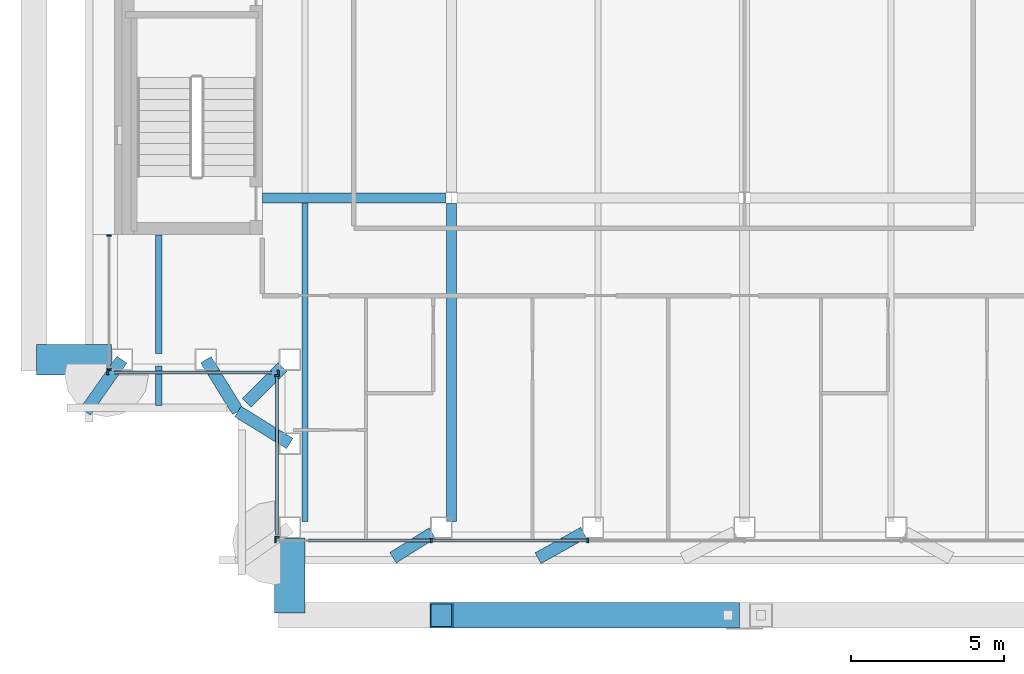
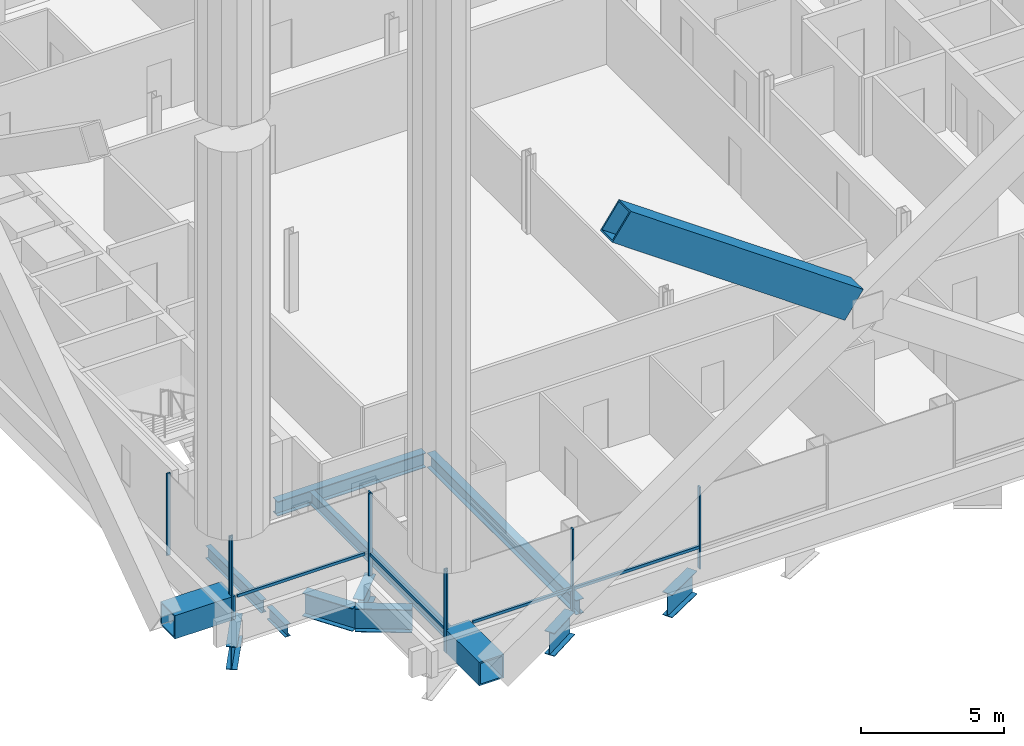
# One storey, part 3 of 22: 14 members, 13 beams, 4 elements without a shape of their own.
"""IFC4 building model written with IfcOpenShell, lengths in metres."""

from ifc_helpers import new_model, si_unit, direction, frame, origin, origin_2d, place, context, subcontext, project, spatial, rectangle, hollow_rectangle, i_section, extrude, material, material_profile, profile_set, type_object, element, aggregate, save


model = new_model("IFC4")

# Units and contexts
model_context = context("Model", 3, precision=1e-05, world=origin(), true_north=direction((0.0, 1.0)))
body_context = subcontext(model_context, "Body", "Model", "MODEL_VIEW")
ifc_project = project(units=[si_unit("LENGTHUNIT", "METRE"), si_unit("AREAUNIT", "SQUARE_METRE"), si_unit("VOLUMEUNIT", "CUBIC_METRE"), si_unit("PLANEANGLEUNIT", "RADIAN"), si_unit("MASSUNIT", "GRAM", prefix="KILO")], contexts=[model_context])

# Site, building, storey
site_placement = place(None, origin())
site = spatial("IfcSite", under=ifc_project, at=site_placement, CompositionType="ELEMENT")
building_placement = place(site_placement, origin())
building = spatial("IfcBuilding", under=site, at=building_placement, Name="Cobrizo Arcos Hotel Tower", CompositionType="ELEMENT")
storey_placement = place(building_placement, frame((0.0, 0.0, 191.0)))
storey = spatial("IfcBuildingStorey", under=building, at=storey_placement, Name="L49", CompositionType="ELEMENT", Elevation=191.0)

# Beams
ifc_material_1 = material(Name="Steel ASTM A572 Grade 50", Category="steel")
ifc_material_profile_1 = material_profile(ifc_material_1, hollow_rectangle(XDim=1.0, YDim=1.0, WallThickness=0.06005859375, at=origin_2d()), Name="BOX 1000X1000X60")
ifc_profile_set_1 = profile_set([ifc_material_profile_1], Name="Steel ASTM A572 Grade 50")
beam_type_1 = type_object("IfcBeamType", Name="BOX 1000X1000X60 brace connector strut", PredefinedType="BEAM", material=ifc_profile_set_1)
for number, where, z_axis, x_axis, name in (
    (1, (-14.89990234375, -20.739990234375, 0.5), (0.0, -1.0, 0.0), (1.0, 0.0, 0.0), "Perimeter brace stub BS1, zone Z4, south face, offset -14.90 m, L49"),
    (2, (-20.739990234375, -14.89990234375, 0.5), (-1.0, 0.0, 0.0), (0.0, -1.0, 0.0), "Perimeter brace stub BS1, zone Z4, west face, offset -14.90 m, L49"),
):
    element("IfcBeam", number, at=place(storey_placement, frame(where, z_axis=z_axis, x_axis=x_axis)), inside=storey, type_object=beam_type_1, Name=name, PredefinedType="BEAM", context=body_context, shape_type="SweptSolid", body=[
        extrude(hollow_rectangle(XDim=1.0, YDim=1.0, WallThickness=0.06005859375, at=origin_2d()), origin(), (0.0, 0.0, 1.0), 2.455078125),
    ])

# Member
ifc_material_profile_2 = material_profile(ifc_material_1, hollow_rectangle(XDim=0.85009765625, YDim=1.300048828125, WallThickness=0.06005859375, at=origin_2d()), Name="BOX 850X1300X60")
ifc_profile_set_2 = profile_set([ifc_material_profile_2], Name="Steel ASTM A572 Grade 50")
member_type_1 = type_object("IfcMemberType", Name="BOX 850X1300X60 perimeter brace", PredefinedType="BRACE", material=ifc_profile_set_2)
member_1_placement = place(storey_placement, frame((-0.539794921875, -23.27490234375, 11.38037109375), z_axis=(-0.817423321181, 0.0, 0.576037424122), x_axis=(0.0, -1.0, 0.0)))
element("IfcMember", 3, at=member_1_placement, inside=storey, type_object=member_type_1, Name="Perimeter brace PBR4, zone Z4, south face, no. 01b", PredefinedType="BRACE", context=body_context, shape_type="SweptSolid", body=[
    extrude(hollow_rectangle(XDim=0.85009765625, YDim=1.300048828125, WallThickness=0.06005859375, at=origin_2d()), origin(), (0.0, 0.0, 1.0), 11.49169921875),
])

# Curtain wall, members
ifc_material_2 = material(Name="Aluminium 6063-T6 anodised bronze", Category="aluminium")
curtain_wall_type = type_object("IfcCurtainWallType", Name="CW-A guest facade", PredefinedType="NOTDEFINED", material=ifc_material_2)
curtain_wall_1_placement = place(storey_placement, origin())
curtain_wall_1 = element("IfcCurtainWall", 4, at=curtain_wall_1_placement, inside=storey, type_object=curtain_wall_type, Name="CW-A L49 S face", PredefinedType="NOTDEFINED")
ifc_material_profile_3 = material_profile(ifc_material_2, rectangle(XDim=0.14990234375, YDim=0.06005859375, at=origin_2d()), Name="CW-A mullion 150x60")
ifc_profile_set_3 = profile_set([ifc_material_profile_3], Name="Aluminium 6063-T6 anodised bronze")
member_type_2 = type_object("IfcMemberType", Name="CW-A mullion 150x60", PredefinedType="MULLION", material=ifc_profile_set_3)
member_2_placement = place(storey_placement, frame((-15.3701171875, -20.824951171875, 0.0), z_axis=(0.0, 0.0, 1.0), x_axis=(0.0, -1.0, 0.0)))
member_2 = element("IfcMember", 5, at=member_2_placement, type_object=member_type_2, Name="CW-A mullion 1", PredefinedType="MULLION", context=body_context, shape_type="SweptSolid", body=[
    extrude(rectangle(XDim=0.14990234375, YDim=0.06005859375, at=origin_2d()), origin(), (0.0, 0.0, 1.0), 3.5),
])
member_3_placement = place(storey_placement, frame((-10.2666015625, -20.824951171875, 0.0), z_axis=(0.0, 0.0, 1.0), x_axis=(0.0, -1.0, 0.0)))
member_3 = element("IfcMember", 6, at=member_3_placement, type_object=member_type_2, Name="CW-A mullion 2", PredefinedType="MULLION", context=body_context, shape_type="SweptSolid", body=[
    extrude(rectangle(XDim=0.14990234375, YDim=0.06005859375, at=origin_2d()), origin(), (0.0, 0.0, 1.0), 3.5),
])
member_4_placement = place(storey_placement, frame((-5.13330078125, -20.824951171875, 0.0), z_axis=(0.0, 0.0, 1.0), x_axis=(0.0, -1.0, 0.0)))
member_4 = element("IfcMember", 7, at=member_4_placement, type_object=member_type_2, Name="CW-A mullion 3", PredefinedType="MULLION", context=body_context, shape_type="SweptSolid", body=[
    extrude(rectangle(XDim=0.14990234375, YDim=0.06005859375, at=origin_2d()), origin(), (0.0, 0.0, 1.0), 3.5),
])

curtain_wall_2_placement = place(storey_placement, origin())
curtain_wall_2 = element("IfcCurtainWall", 8, at=curtain_wall_2_placement, inside=storey, type_object=curtain_wall_type, Name="CW-A L49 W face", PredefinedType="NOTDEFINED")
member_5_placement = place(storey_placement, frame((-20.824951171875, -10.830078125, 0.0), z_axis=(0.0, 0.0, 1.0), x_axis=(-1.0, 0.0, 0.0)))
member_5 = element("IfcMember", 9, at=member_5_placement, type_object=member_type_2, Name="CW-A mullion 1", PredefinedType="MULLION", context=body_context, shape_type="SweptSolid", body=[
    extrude(rectangle(XDim=0.14990234375, YDim=0.06005859375, at=origin_2d()), origin(), (0.0, 0.0, 1.0), 3.5),
])
member_6_placement = place(storey_placement, frame((-20.824951171875, -15.219970703125, 0.0), z_axis=(0.0, 0.0, 1.0), x_axis=(-1.0, 0.0, 0.0)))
member_6 = element("IfcMember", 10, at=member_6_placement, type_object=member_type_2, Name="CW-A mullion 2", PredefinedType="MULLION", context=body_context, shape_type="SweptSolid", body=[
    extrude(rectangle(XDim=0.14990234375, YDim=0.06005859375, at=origin_2d()), origin(), (0.0, 0.0, 1.0), 3.5),
])
aggregate(curtain_wall_2, [member_5, member_6])

curtain_wall_3_placement = place(storey_placement, origin())
curtain_wall_3 = element("IfcCurtainWall", 11, at=curtain_wall_3_placement, inside=storey, type_object=curtain_wall_type, Name="CW-A L49 S face", PredefinedType="NOTDEFINED")
member_7_placement = place(storey_placement, frame((-20.8701171875, -15.324951171875, 0.0), z_axis=(0.0, 0.0, 1.0), x_axis=(0.0, -1.0, 0.0)))
member_7 = element("IfcMember", 12, at=member_7_placement, type_object=member_type_2, Name="CW-A mullion 1", PredefinedType="MULLION", context=body_context, shape_type="SweptSolid", body=[
    extrude(rectangle(XDim=0.14990234375, YDim=0.06005859375, at=origin_2d()), origin(), (0.0, 0.0, 1.0), 3.5),
])
member_8_placement = place(storey_placement, frame((-15.280029296875, -15.324951171875, 0.0), z_axis=(0.0, 0.0, 1.0), x_axis=(0.0, -1.0, 0.0)))
member_8 = element("IfcMember", 13, at=member_8_placement, type_object=member_type_2, Name="CW-A mullion 2", PredefinedType="MULLION", context=body_context, shape_type="SweptSolid", body=[
    extrude(rectangle(XDim=0.14990234375, YDim=0.06005859375, at=origin_2d()), origin(), (0.0, 0.0, 1.0), 3.5),
])

curtain_wall_4_placement = place(storey_placement, origin())
curtain_wall_4 = element("IfcCurtainWall", 14, at=curtain_wall_4_placement, inside=storey, type_object=curtain_wall_type, Name="CW-A L49 W face", PredefinedType="NOTDEFINED")
member_9_placement = place(storey_placement, frame((-15.324951171875, -15.429931640625, 0.0), z_axis=(0.0, 0.0, 1.0), x_axis=(-1.0, 0.0, 0.0)))
member_9 = element("IfcMember", 15, at=member_9_placement, type_object=member_type_2, Name="CW-A mullion 1", PredefinedType="MULLION", context=body_context, shape_type="SweptSolid", body=[
    extrude(rectangle(XDim=0.14990234375, YDim=0.06005859375, at=origin_2d()), origin(), (0.0, 0.0, 1.0), 3.5),
])
member_10_placement = place(storey_placement, frame((-15.324951171875, -20.719970703125, 0.0), z_axis=(0.0, 0.0, 1.0), x_axis=(-1.0, 0.0, 0.0)))
member_10 = element("IfcMember", 16, at=member_10_placement, type_object=member_type_2, Name="CW-A mullion 2", PredefinedType="MULLION", context=body_context, shape_type="SweptSolid", body=[
    extrude(rectangle(XDim=0.14990234375, YDim=0.06005859375, at=origin_2d()), origin(), (0.0, 0.0, 1.0), 3.5),
])

# Member
ifc_material_profile_4 = material_profile(ifc_material_2, rectangle(XDim=0.10009765625, YDim=0.1201171875, at=origin_2d()), Name="CW-A transom 120x100")
ifc_profile_set_4 = profile_set([ifc_material_profile_4], Name="Aluminium 6063-T6 anodised bronze")
member_type_3 = type_object("IfcMemberType", Name="CW-A transom 120x100", PredefinedType="USERDEFINED", material=ifc_profile_set_4)
member_11_placement = place(storey_placement, frame((-14.300048828125, -20.824951171875, 0.929931640625), z_axis=(1.0, 0.0, 0.0), x_axis=(0.0, 1.0, 0.0)))
member_11 = element("IfcMember", 17, at=member_11_placement, type_object=member_type_3, Name="CW-A transom 1696", ObjectType="TRANSOM", PredefinedType="USERDEFINED", context=body_context, shape_type="SweptSolid", body=[
    extrude(rectangle(XDim=0.10009765625, YDim=0.1201171875, at=origin_2d()), origin(), (0.0, 0.0, 1.0), 4.00341796875),
])

member_12_placement = place(storey_placement, frame((-10.236572265625, -20.824951171875, 0.929931640625), z_axis=(1.0, 0.0, 0.0), x_axis=(0.0, 1.0, 0.0)))
member_12 = element("IfcMember", 18, at=member_12_placement, type_object=member_type_3, Name="CW-A transom 1697", ObjectType="TRANSOM", PredefinedType="USERDEFINED", context=body_context, shape_type="SweptSolid", body=[
    extrude(rectangle(XDim=0.10009765625, YDim=0.1201171875, at=origin_2d()), origin(), (0.0, 0.0, 1.0), 5.0732421875),
])

aggregate(curtain_wall_1, [member_2, member_3, member_4, member_11, member_12])

member_13_placement = place(storey_placement, frame((-20.639892578125, -15.324951171875, 0.929931640625), z_axis=(1.0, 0.0, 0.0), x_axis=(0.0, 1.0, 0.0)))
member_13 = element("IfcMember", 19, at=member_13_placement, type_object=member_type_3, Name="CW-A transom 1718", ObjectType="TRANSOM", PredefinedType="USERDEFINED", context=body_context, shape_type="SweptSolid", body=[
    extrude(rectangle(XDim=0.10009765625, YDim=0.1201171875, at=origin_2d()), origin(), (0.0, 0.0, 1.0), 5.139892578125),
])

aggregate(curtain_wall_3, [member_7, member_8, member_13])

member_14_placement = place(storey_placement, frame((-15.324951171875, -15.5, 0.929931640625), z_axis=(0.0, -1.0, 0.0), x_axis=(1.0, 0.0, 0.0)))
member_14 = element("IfcMember", 20, at=member_14_placement, type_object=member_type_3, Name="CW-A transom 1719", ObjectType="TRANSOM", PredefinedType="USERDEFINED", context=body_context, shape_type="SweptSolid", body=[
    extrude(rectangle(XDim=0.10009765625, YDim=0.1201171875, at=origin_2d()), origin(), (0.0, 0.0, 1.0), 5.139892578125),
])

aggregate(curtain_wall_4, [member_9, member_10, member_14])

# Beams
ifc_material_3 = material(Name="Steel ASTM A992 Grade 50", Category="steel")
ifc_material_profile_5 = material_profile(ifc_material_3, i_section(OverallWidth=0.209228515625, OverallDepth=0.533447265625, WebThickness=0.01025390625, FlangeThickness=0.015625, at=origin_2d()), Name="W21X62")
ifc_profile_set_5 = profile_set([ifc_material_profile_5], Name="Steel ASTM A992 Grade 50")
beam_type_2 = type_object("IfcBeamType", Name="W21X62 joist", PredefinedType="JOIST", material=ifc_profile_set_5)
beam_1_placement = place(storey_placement, frame((-19.199951171875, -16.3994140625, -0.416748046875), z_axis=(0.0, 1.0, 0.0), x_axis=(-1.0, 0.0, 0.0)))
element("IfcBeam", 21, at=beam_1_placement, inside=storey, type_object=beam_type_2, Name="Floor joist J1, L49, no. 001", PredefinedType="JOIST", context=body_context, shape_type="SweptSolid", body=[
    extrude(i_section(OverallWidth=0.209228515625, OverallDepth=0.533447265625, WebThickness=0.01025390625, FlangeThickness=0.015625, at=origin_2d()), origin(), (0.0, 0.0, 1.0), 1.298828125),
])
beam_2_placement = place(storey_placement, frame((-19.199951171875, -14.699462890625, -0.416748046875), z_axis=(0.0, 1.0, 0.0), x_axis=(-1.0, 0.0, 0.0)))
element("IfcBeam", 22, at=beam_2_placement, inside=storey, type_object=beam_type_2, Name="Floor joist J1, L49, no. 002", PredefinedType="JOIST", context=body_context, shape_type="SweptSolid", body=[
    extrude(i_section(OverallWidth=0.209228515625, OverallDepth=0.533447265625, WebThickness=0.01025390625, FlangeThickness=0.015625, at=origin_2d()), origin(), (0.0, 0.0, 1.0), 3.889404296875),
])
beam_3_placement = place(storey_placement, frame((-14.39990234375, -20.199462890625, -0.416748046875), z_axis=(0.0, 1.0, 0.0), x_axis=(-1.0, 0.0, 0.0)))
element("IfcBeam", 23, at=beam_3_placement, inside=storey, type_object=beam_type_2, Name="Floor joist J1, L49, no. 005", PredefinedType="JOIST", context=body_context, shape_type="SweptSolid", body=[
    extrude(i_section(OverallWidth=0.209228515625, OverallDepth=0.533447265625, WebThickness=0.01025390625, FlangeThickness=0.015625, at=origin_2d()), origin(), (0.0, 0.0, 1.0), 10.435546875),
])
ifc_material_profile_6 = material_profile(ifc_material_3, i_section(OverallWidth=0.32763671875, OverallDepth=0.622314453125, WebThickness=0.015380859375, FlangeThickness=0.0244140625, at=origin_2d()), Name="W24X131")
ifc_profile_set_6 = profile_set([ifc_material_profile_6], Name="Steel ASTM A992 Grade 50")
beam_type_3 = type_object("IfcBeamType", Name="W24X131 girder", PredefinedType="BEAM", material=ifc_profile_set_6)
beam_4_placement = place(storey_placement, frame((-15.7900390625, -9.60009765625, -0.461181640625), z_axis=(1.0, 0.0, 0.0), x_axis=(0.0, 1.0, 0.0)))
element("IfcBeam", 24, at=beam_4_placement, inside=storey, type_object=beam_type_3, Name="Floor girder G1, L49, no. 001", PredefinedType="BEAM", context=body_context, shape_type="SweptSolid", body=[
    extrude(i_section(OverallWidth=0.32763671875, OverallDepth=0.622314453125, WebThickness=0.015380859375, FlangeThickness=0.0244140625, at=origin_2d()), origin(), (0.0, 0.0, 1.0), 6.00341796875),
])
beam_5_placement = place(storey_placement, frame((-9.60009765625, -20.199462890625, -0.461181640625), z_axis=(0.0, 1.0, 0.0), x_axis=(-1.0, 0.0, 0.0)))
element("IfcBeam", 25, at=beam_5_placement, inside=storey, type_object=beam_type_3, Name="Floor girder G1, L49, no. 013", PredefinedType="BEAM", context=body_context, shape_type="SweptSolid", body=[
    extrude(i_section(OverallWidth=0.32763671875, OverallDepth=0.622314453125, WebThickness=0.015380859375, FlangeThickness=0.0244140625, at=origin_2d()), origin(), (0.0, 0.0, 1.0), 10.412841796875),
])
ifc_material_profile_7 = material_profile(ifc_material_3, i_section(OverallWidth=0.4013671875, OverallDepth=0.990478515625, WebThickness=0.0166015625, FlangeThickness=0.025390625, at=origin_2d()), Name="W40X215")
ifc_profile_set_7 = profile_set([ifc_material_profile_7], Name="Steel ASTM A992 Grade 50")
beam_type_4 = type_object("IfcBeamType", Name="W40X215 transfer girder", PredefinedType="BEAM", material=ifc_profile_set_7)
beam_6_placement = place(storey_placement, frame((-11.517578125, -21.38818359375, -0.645263671875), z_axis=(0.848522130236, 0.529159895022, 0.0), x_axis=(-0.529159895022, 0.848522130236, 0.0)))
element("IfcBeam", 26, at=beam_6_placement, inside=storey, type_object=beam_type_4, Name="Setback transfer girder TG1, L49, no. 004", PredefinedType="BEAM", context=body_context, shape_type="SweptSolid", body=[
    extrude(i_section(OverallWidth=0.4013671875, OverallDepth=0.990478515625, WebThickness=0.0166015625, FlangeThickness=0.025390625, at=origin_2d()), origin(), (0.0, 0.0, 1.0), 1.517578125),
])
beam_7_placement = place(storey_placement, frame((-6.764892578125, -21.40478515625, -0.645263671875), z_axis=(0.872948847751, 0.487811755916, 0.0), x_axis=(-0.487811755916, 0.872948847751, 0.0)))
element("IfcBeam", 27, at=beam_7_placement, inside=storey, type_object=beam_type_4, Name="Setback transfer girder TG1, L49, no. 006", PredefinedType="BEAM", context=body_context, shape_type="SweptSolid", body=[
    extrude(i_section(OverallWidth=0.4013671875, OverallDepth=0.990478515625, WebThickness=0.0166015625, FlangeThickness=0.025390625, at=origin_2d()), origin(), (0.0, 0.0, 1.0), 1.709716796875),
])
beam_8_placement = place(storey_placement, frame((-21.60009765625, -16.60009765625, -0.645263671875), z_axis=(0.57670162045, 0.816954858588, 0.0), x_axis=(-0.816954858588, 0.57670162045, 0.0)))
element("IfcBeam", 28, at=beam_8_placement, inside=storey, type_object=beam_type_4, Name="Setback transfer girder TG1, L49, no. 016", PredefinedType="BEAM", context=body_context, shape_type="SweptSolid", body=[
    extrude(i_section(OverallWidth=0.4013671875, OverallDepth=0.990478515625, WebThickness=0.0166015625, FlangeThickness=0.025390625, at=origin_2d()), origin(), (0.0, 0.0, 1.0), 2.0810546875),
])
beam_9_placement = place(storey_placement, frame((-16.317138671875, -16.317138671875, -0.645263671875), z_axis=(0.707106781187, 0.707106781187, 0.0), x_axis=(-0.707106781187, 0.707106781187, 0.0)))
element("IfcBeam", 29, at=beam_9_placement, inside=storey, type_object=beam_type_4, Name="Setback transfer girder TG1, L49, no. 019", PredefinedType="BEAM", context=body_context, shape_type="SweptSolid", body=[
    extrude(i_section(OverallWidth=0.4013671875, OverallDepth=0.990478515625, WebThickness=0.0166015625, FlangeThickness=0.025390625, at=origin_2d()), origin(), (0.0, 0.0, 1.0), 1.654052734375),
])
for number, where, z_axis, x_axis, name in (
    (30, (-16.60009765625, -16.60009765625, -0.645263671875), (0.850868681752, -0.525378422104, 0.0), (0.525378422104, 0.850868681752, 0.0), "Setback transfer girder TG1, L49, no. 020"),
    (31, (-16.60009765625, -16.60009765625, -0.645263671875), (-0.525378422104, 0.850868681752, 0.0), (-0.850868681752, -0.525378422104, 0.0), "Setback transfer girder TG1, L49, no. 021"),
):
    element("IfcBeam", number, at=place(storey_placement, frame(where, z_axis=z_axis, x_axis=x_axis)), inside=storey, type_object=beam_type_4, Name=name, PredefinedType="BEAM", context=body_context, shape_type="SweptSolid", body=[
        extrude(i_section(OverallWidth=0.4013671875, OverallDepth=0.990478515625, WebThickness=0.0166015625, FlangeThickness=0.025390625, at=origin_2d()), origin(), (0.0, 0.0, 1.0), 1.998291015625),
    ])

save(model, "model.ifc")
